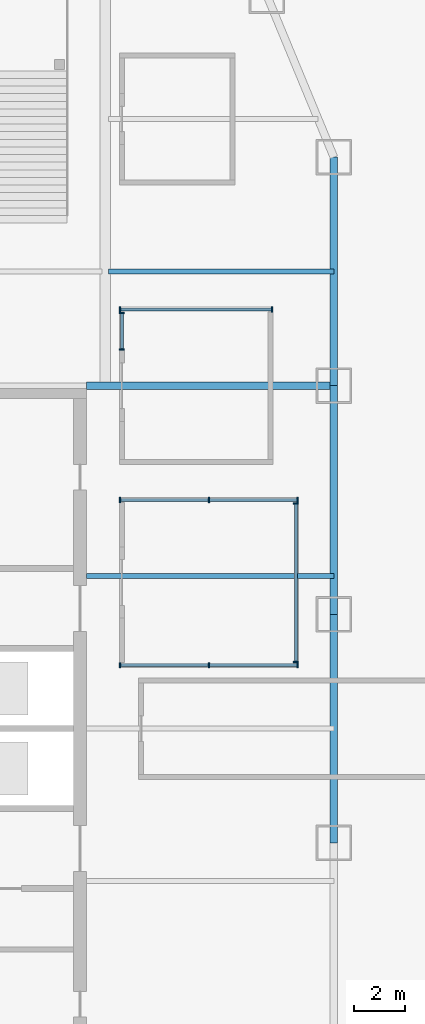
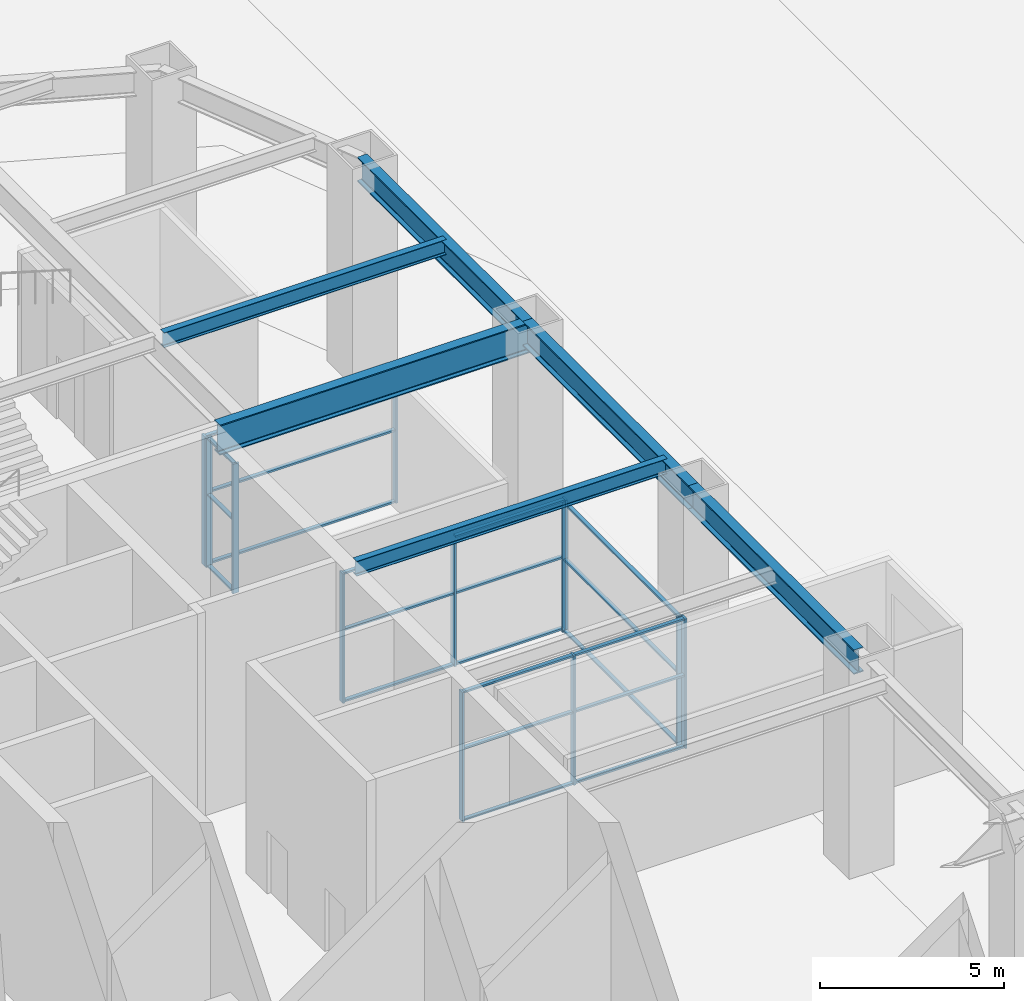
# One storey, part 8 of 20: 33 members, 6 beams, 5 elements without a shape of their own.
"""IFC4 building model written with IfcOpenShell, lengths in metres."""

from ifc_helpers import new_model, si_unit, direction, frame, origin, origin_2d, place, context, subcontext, project, spatial, rectangle, i_section, extrude, material, layer, layer_set, material_profile, profile_set, type_object, element, aggregate, save


model = new_model("IFC4")

# Units and contexts
model_context = context("Model", 3, precision=1e-05, world=origin(), true_north=direction((0.0, 1.0)))
body_context = subcontext(model_context, "Body", "Model", "MODEL_VIEW")
ifc_project = project(units=[si_unit("LENGTHUNIT", "METRE"), si_unit("AREAUNIT", "SQUARE_METRE"), si_unit("VOLUMEUNIT", "CUBIC_METRE"), si_unit("PLANEANGLEUNIT", "RADIAN"), si_unit("MASSUNIT", "GRAM", prefix="KILO")], contexts=[model_context])

# Site, building, storey
site_placement = place(None, origin())
site = spatial("IfcSite", under=ifc_project, at=site_placement, CompositionType="ELEMENT")
building_placement = place(site_placement, origin())
building = spatial("IfcBuilding", under=site, at=building_placement, Name="Siwar Civic Tower", CompositionType="ELEMENT")
storey_placement = place(building_placement, origin())
storey = spatial("IfcBuildingStorey", under=building, at=storey_placement, Name="L00", CompositionType="ELEMENT", Elevation=0.0)

# Curtain wall, members
ifc_material_1 = material(Name="Aluminium and glass", Category="aluminium")
ifc_layer = layer(ifc_material_1, 0.199951171875)
ifc_layer_set = layer_set([ifc_layer], Name="Aluminium and glass")
curtain_wall_type = type_object("IfcCurtainWallType", Name="GND-CWG", PredefinedType="NOTDEFINED", material=ifc_layer_set)
curtain_wall_1_placement = place(storey_placement, origin())
curtain_wall_1 = element("IfcCurtainWall", 1, at=curtain_wall_1_placement, inside=storey, type_object=curtain_wall_type, Name="Glazed screen P03", PredefinedType="NOTDEFINED")
ifc_material_2 = material(Name="Aluminium", Category="aluminium")
ifc_material_profile_1 = material_profile(ifc_material_2, rectangle(XDim=0.199951171875, YDim=0.06005859375, at=origin_2d()), Name="AL 200x60")
ifc_profile_set_1 = profile_set([ifc_material_profile_1], Name="Aluminium")
member_type_1 = type_object("IfcMemberType", Name="GND-CWG-MULLION", PredefinedType="MULLION", material=ifc_profile_set_1)
member_1_placement = place(storey_placement, frame((23.080078125, 2.5, 0.0), z_axis=(0.0, 0.0, 1.0), x_axis=(0.0, 1.0, 0.0)))
member_1 = element("IfcMember", 2, at=member_1_placement, type_object=member_type_1, Name="CW-G mullion 1", PredefinedType="MULLION", context=body_context, shape_type="SweptSolid", body=[
    extrude(rectangle(XDim=0.199951171875, YDim=0.06005859375, at=origin_2d()), origin(), (0.0, 0.0, 1.0), 4.300048828125),
])
member_2_placement = place(storey_placement, frame((26.574951171875, 2.5, 0.0), z_axis=(0.0, 0.0, 1.0), x_axis=(0.0, 1.0, 0.0)))
member_2 = element("IfcMember", 3, at=member_2_placement, type_object=member_type_1, Name="CW-G mullion 2", PredefinedType="MULLION", context=body_context, shape_type="SweptSolid", body=[
    extrude(rectangle(XDim=0.199951171875, YDim=0.06005859375, at=origin_2d()), origin(), (0.0, 0.0, 1.0), 4.300048828125),
])
member_3_placement = place(storey_placement, frame((30.070068359375, 2.5, 0.0), z_axis=(0.0, 0.0, 1.0), x_axis=(0.0, 1.0, 0.0)))
member_3 = element("IfcMember", 4, at=member_3_placement, type_object=member_type_1, Name="CW-G mullion 3", PredefinedType="MULLION", context=body_context, shape_type="SweptSolid", body=[
    extrude(rectangle(XDim=0.199951171875, YDim=0.06005859375, at=origin_2d()), origin(), (0.0, 0.0, 1.0), 4.300048828125),
])

curtain_wall_2_placement = place(storey_placement, origin())
curtain_wall_2 = element("IfcCurtainWall", 5, at=curtain_wall_2_placement, inside=storey, type_object=curtain_wall_type, Name="Glazed screen P03", PredefinedType="NOTDEFINED")
member_4_placement = place(storey_placement, frame((30.0, 2.6298828125, 0.0), z_axis=(0.0, 0.0, 1.0), x_axis=(-1.0, 0.0, 0.0)))
member_4 = element("IfcMember", 6, at=member_4_placement, type_object=member_type_1, Name="CW-G mullion 1", PredefinedType="MULLION", context=body_context, shape_type="SweptSolid", body=[
    extrude(rectangle(XDim=0.199951171875, YDim=0.06005859375, at=origin_2d()), origin(), (0.0, 0.0, 1.0), 4.300048828125),
])
member_5_placement = place(storey_placement, frame((30.0, 8.8701171875, 0.0), z_axis=(0.0, 0.0, 1.0), x_axis=(-1.0, 0.0, 0.0)))
member_5 = element("IfcMember", 7, at=member_5_placement, type_object=member_type_1, Name="CW-G mullion 2", PredefinedType="MULLION", context=body_context, shape_type="SweptSolid", body=[
    extrude(rectangle(XDim=0.199951171875, YDim=0.06005859375, at=origin_2d()), origin(), (0.0, 0.0, 1.0), 4.300048828125),
])

curtain_wall_3_placement = place(storey_placement, origin())
curtain_wall_3 = element("IfcCurtainWall", 8, at=curtain_wall_3_placement, inside=storey, type_object=curtain_wall_type, Name="Glazed screen P03", PredefinedType="NOTDEFINED")
member_6_placement = place(storey_placement, frame((23.080078125, 9.0, 0.0), z_axis=(0.0, 0.0, 1.0), x_axis=(0.0, 1.0, 0.0)))
member_6 = element("IfcMember", 9, at=member_6_placement, type_object=member_type_1, Name="CW-G mullion 1", PredefinedType="MULLION", context=body_context, shape_type="SweptSolid", body=[
    extrude(rectangle(XDim=0.199951171875, YDim=0.06005859375, at=origin_2d()), origin(), (0.0, 0.0, 1.0), 4.300048828125),
])
member_7_placement = place(storey_placement, frame((26.574951171875, 9.0, 0.0), z_axis=(0.0, 0.0, 1.0), x_axis=(0.0, 1.0, 0.0)))
member_7 = element("IfcMember", 10, at=member_7_placement, type_object=member_type_1, Name="CW-G mullion 2", PredefinedType="MULLION", context=body_context, shape_type="SweptSolid", body=[
    extrude(rectangle(XDim=0.199951171875, YDim=0.06005859375, at=origin_2d()), origin(), (0.0, 0.0, 1.0), 4.300048828125),
])
member_8_placement = place(storey_placement, frame((30.070068359375, 9.0, 0.0), z_axis=(0.0, 0.0, 1.0), x_axis=(0.0, 1.0, 0.0)))
member_8 = element("IfcMember", 11, at=member_8_placement, type_object=member_type_1, Name="CW-G mullion 3", PredefinedType="MULLION", context=body_context, shape_type="SweptSolid", body=[
    extrude(rectangle(XDim=0.199951171875, YDim=0.06005859375, at=origin_2d()), origin(), (0.0, 0.0, 1.0), 4.300048828125),
])

curtain_wall_4_placement = place(storey_placement, origin())
curtain_wall_4 = element("IfcCurtainWall", 12, at=curtain_wall_4_placement, inside=storey, type_object=curtain_wall_type, Name="Glazed screen P08", PredefinedType="NOTDEFINED")
member_9_placement = place(storey_placement, frame((23.080078125, 16.5, 0.0), z_axis=(0.0, 0.0, 1.0), x_axis=(0.0, 1.0, 0.0)))
member_9 = element("IfcMember", 13, at=member_9_placement, type_object=member_type_1, Name="CW-G mullion 1", PredefinedType="MULLION", context=body_context, shape_type="SweptSolid", body=[
    extrude(rectangle(XDim=0.199951171875, YDim=0.06005859375, at=origin_2d()), origin(), (0.0, 0.0, 1.0), 4.300048828125),
])
member_10_placement = place(storey_placement, frame((29.070068359375, 16.5, 0.0), z_axis=(0.0, 0.0, 1.0), x_axis=(0.0, 1.0, 0.0)))
member_10 = element("IfcMember", 14, at=member_10_placement, type_object=member_type_1, Name="CW-G mullion 2", PredefinedType="MULLION", context=body_context, shape_type="SweptSolid", body=[
    extrude(rectangle(XDim=0.199951171875, YDim=0.06005859375, at=origin_2d()), origin(), (0.0, 0.0, 1.0), 4.300048828125),
])

curtain_wall_5_placement = place(storey_placement, origin())
curtain_wall_5 = element("IfcCurtainWall", 15, at=curtain_wall_5_placement, inside=storey, type_object=curtain_wall_type, Name="Glazed screen P08", PredefinedType="NOTDEFINED")
member_11_placement = place(storey_placement, frame((23.14990234375, 14.929931640625, 0.0), z_axis=(0.0, 0.0, 1.0), x_axis=(-1.0, 0.0, 0.0)))
member_11 = element("IfcMember", 16, at=member_11_placement, type_object=member_type_1, Name="CW-G mullion 1", PredefinedType="MULLION", context=body_context, shape_type="SweptSolid", body=[
    extrude(rectangle(XDim=0.199951171875, YDim=0.06005859375, at=origin_2d()), origin(), (0.0, 0.0, 1.0), 4.300048828125),
])
member_12_placement = place(storey_placement, frame((23.14990234375, 16.3701171875, 0.0), z_axis=(0.0, 0.0, 1.0), x_axis=(-1.0, 0.0, 0.0)))
member_12 = element("IfcMember", 17, at=member_12_placement, type_object=member_type_1, Name="CW-G mullion 2", PredefinedType="MULLION", context=body_context, shape_type="SweptSolid", body=[
    extrude(rectangle(XDim=0.199951171875, YDim=0.06005859375, at=origin_2d()), origin(), (0.0, 0.0, 1.0), 4.300048828125),
])

# Member
ifc_material_3 = material(Name="Aluminium", Category="aluminium")
ifc_material_profile_2 = material_profile(ifc_material_3, rectangle(XDim=0.1201171875, YDim=0.06005859375, at=origin_2d()), Name="AL 120x60")
ifc_profile_set_2 = profile_set([ifc_material_profile_2], Name="Aluminium")
member_type_2 = type_object("IfcMemberType", Name="GND-CWG-TRANSOM", PredefinedType="USERDEFINED", material=ifc_profile_set_2)
member_13_placement = place(storey_placement, frame((23.110107421875, 2.5, 0.030029296875), z_axis=(1.0, 0.0, 0.0), x_axis=(0.0, 1.0, 0.0)))
member_13 = element("IfcMember", 18, at=member_13_placement, type_object=member_type_2, Name="CW-G transom 1.1", ObjectType="TRANSOM", PredefinedType="USERDEFINED", context=body_context, shape_type="SweptSolid", body=[
    extrude(rectangle(XDim=0.1201171875, YDim=0.06005859375, at=origin_2d()), origin(), (0.0, 0.0, 1.0), 3.434814453125),
])

member_14_placement = place(storey_placement, frame((23.110107421875, 2.5, 2.39990234375), z_axis=(1.0, 0.0, 0.0), x_axis=(0.0, 1.0, 0.0)))
member_14 = element("IfcMember", 19, at=member_14_placement, type_object=member_type_2, Name="CW-G transom 1.2", ObjectType="TRANSOM", PredefinedType="USERDEFINED", context=body_context, shape_type="SweptSolid", body=[
    extrude(rectangle(XDim=0.1201171875, YDim=0.06005859375, at=origin_2d()), origin(), (0.0, 0.0, 1.0), 3.434814453125),
])

member_15_placement = place(storey_placement, frame((23.110107421875, 2.5, 4.27001953125), z_axis=(1.0, 0.0, 0.0), x_axis=(0.0, 1.0, 0.0)))
member_15 = element("IfcMember", 20, at=member_15_placement, type_object=member_type_2, Name="CW-G transom 1.3", ObjectType="TRANSOM", PredefinedType="USERDEFINED", context=body_context, shape_type="SweptSolid", body=[
    extrude(rectangle(XDim=0.1201171875, YDim=0.06005859375, at=origin_2d()), origin(), (0.0, 0.0, 1.0), 3.434814453125),
])

member_16_placement = place(storey_placement, frame((26.60498046875, 2.5, 0.030029296875), z_axis=(1.0, 0.0, 0.0), x_axis=(0.0, 1.0, 0.0)))
member_16 = element("IfcMember", 21, at=member_16_placement, type_object=member_type_2, Name="CW-G transom 2.1", ObjectType="TRANSOM", PredefinedType="USERDEFINED", context=body_context, shape_type="SweptSolid", body=[
    extrude(rectangle(XDim=0.1201171875, YDim=0.06005859375, at=origin_2d()), origin(), (0.0, 0.0, 1.0), 3.43505859375),
])

member_17_placement = place(storey_placement, frame((26.60498046875, 2.5, 2.39990234375), z_axis=(1.0, 0.0, 0.0), x_axis=(0.0, 1.0, 0.0)))
member_17 = element("IfcMember", 22, at=member_17_placement, type_object=member_type_2, Name="CW-G transom 2.2", ObjectType="TRANSOM", PredefinedType="USERDEFINED", context=body_context, shape_type="SweptSolid", body=[
    extrude(rectangle(XDim=0.1201171875, YDim=0.06005859375, at=origin_2d()), origin(), (0.0, 0.0, 1.0), 3.43505859375),
])

member_18_placement = place(storey_placement, frame((26.60498046875, 2.5, 4.27001953125), z_axis=(1.0, 0.0, 0.0), x_axis=(0.0, 1.0, 0.0)))
member_18 = element("IfcMember", 23, at=member_18_placement, type_object=member_type_2, Name="CW-G transom 2.3", ObjectType="TRANSOM", PredefinedType="USERDEFINED", context=body_context, shape_type="SweptSolid", body=[
    extrude(rectangle(XDim=0.1201171875, YDim=0.06005859375, at=origin_2d()), origin(), (0.0, 0.0, 1.0), 3.43505859375),
])

aggregate(curtain_wall_1, [member_1, member_2, member_3, member_13, member_14, member_15, member_16, member_17, member_18])

member_19_placement = place(storey_placement, frame((30.0, 2.659912109375, 0.030029296875), z_axis=(0.0, 1.0, 0.0), x_axis=(-1.0, 0.0, 0.0)))
member_19 = element("IfcMember", 24, at=member_19_placement, type_object=member_type_2, Name="CW-G transom 1.1", ObjectType="TRANSOM", PredefinedType="USERDEFINED", context=body_context, shape_type="SweptSolid", body=[
    extrude(rectangle(XDim=0.1201171875, YDim=0.06005859375, at=origin_2d()), origin(), (0.0, 0.0, 1.0), 6.18017578125),
])

member_20_placement = place(storey_placement, frame((30.0, 2.659912109375, 2.39990234375), z_axis=(0.0, 1.0, 0.0), x_axis=(-1.0, 0.0, 0.0)))
member_20 = element("IfcMember", 25, at=member_20_placement, type_object=member_type_2, Name="CW-G transom 1.2", ObjectType="TRANSOM", PredefinedType="USERDEFINED", context=body_context, shape_type="SweptSolid", body=[
    extrude(rectangle(XDim=0.1201171875, YDim=0.06005859375, at=origin_2d()), origin(), (0.0, 0.0, 1.0), 6.18017578125),
])

member_21_placement = place(storey_placement, frame((30.0, 2.659912109375, 4.27001953125), z_axis=(0.0, 1.0, 0.0), x_axis=(-1.0, 0.0, 0.0)))
member_21 = element("IfcMember", 26, at=member_21_placement, type_object=member_type_2, Name="CW-G transom 1.3", ObjectType="TRANSOM", PredefinedType="USERDEFINED", context=body_context, shape_type="SweptSolid", body=[
    extrude(rectangle(XDim=0.1201171875, YDim=0.06005859375, at=origin_2d()), origin(), (0.0, 0.0, 1.0), 6.18017578125),
])

aggregate(curtain_wall_2, [member_4, member_5, member_19, member_20, member_21])

member_22_placement = place(storey_placement, frame((23.110107421875, 9.0, 0.030029296875), z_axis=(1.0, 0.0, 0.0), x_axis=(0.0, 1.0, 0.0)))
member_22 = element("IfcMember", 27, at=member_22_placement, type_object=member_type_2, Name="CW-G transom 1.1", ObjectType="TRANSOM", PredefinedType="USERDEFINED", context=body_context, shape_type="SweptSolid", body=[
    extrude(rectangle(XDim=0.1201171875, YDim=0.06005859375, at=origin_2d()), origin(), (0.0, 0.0, 1.0), 3.434814453125),
])

member_23_placement = place(storey_placement, frame((23.110107421875, 9.0, 2.39990234375), z_axis=(1.0, 0.0, 0.0), x_axis=(0.0, 1.0, 0.0)))
member_23 = element("IfcMember", 28, at=member_23_placement, type_object=member_type_2, Name="CW-G transom 1.2", ObjectType="TRANSOM", PredefinedType="USERDEFINED", context=body_context, shape_type="SweptSolid", body=[
    extrude(rectangle(XDim=0.1201171875, YDim=0.06005859375, at=origin_2d()), origin(), (0.0, 0.0, 1.0), 3.434814453125),
])

member_24_placement = place(storey_placement, frame((23.110107421875, 9.0, 4.27001953125), z_axis=(1.0, 0.0, 0.0), x_axis=(0.0, 1.0, 0.0)))
member_24 = element("IfcMember", 29, at=member_24_placement, type_object=member_type_2, Name="CW-G transom 1.3", ObjectType="TRANSOM", PredefinedType="USERDEFINED", context=body_context, shape_type="SweptSolid", body=[
    extrude(rectangle(XDim=0.1201171875, YDim=0.06005859375, at=origin_2d()), origin(), (0.0, 0.0, 1.0), 3.434814453125),
])

member_25_placement = place(storey_placement, frame((26.60498046875, 9.0, 0.030029296875), z_axis=(1.0, 0.0, 0.0), x_axis=(0.0, 1.0, 0.0)))
member_25 = element("IfcMember", 30, at=member_25_placement, type_object=member_type_2, Name="CW-G transom 2.1", ObjectType="TRANSOM", PredefinedType="USERDEFINED", context=body_context, shape_type="SweptSolid", body=[
    extrude(rectangle(XDim=0.1201171875, YDim=0.06005859375, at=origin_2d()), origin(), (0.0, 0.0, 1.0), 3.43505859375),
])

member_26_placement = place(storey_placement, frame((26.60498046875, 9.0, 2.39990234375), z_axis=(1.0, 0.0, 0.0), x_axis=(0.0, 1.0, 0.0)))
member_26 = element("IfcMember", 31, at=member_26_placement, type_object=member_type_2, Name="CW-G transom 2.2", ObjectType="TRANSOM", PredefinedType="USERDEFINED", context=body_context, shape_type="SweptSolid", body=[
    extrude(rectangle(XDim=0.1201171875, YDim=0.06005859375, at=origin_2d()), origin(), (0.0, 0.0, 1.0), 3.43505859375),
])

member_27_placement = place(storey_placement, frame((26.60498046875, 9.0, 4.27001953125), z_axis=(1.0, 0.0, 0.0), x_axis=(0.0, 1.0, 0.0)))
member_27 = element("IfcMember", 32, at=member_27_placement, type_object=member_type_2, Name="CW-G transom 2.3", ObjectType="TRANSOM", PredefinedType="USERDEFINED", context=body_context, shape_type="SweptSolid", body=[
    extrude(rectangle(XDim=0.1201171875, YDim=0.06005859375, at=origin_2d()), origin(), (0.0, 0.0, 1.0), 3.43505859375),
])

aggregate(curtain_wall_3, [member_6, member_7, member_8, member_22, member_23, member_24, member_25, member_26, member_27])

member_28_placement = place(storey_placement, frame((23.110107421875, 16.5, 0.030029296875), z_axis=(1.0, 0.0, 0.0), x_axis=(0.0, 1.0, 0.0)))
member_28 = element("IfcMember", 33, at=member_28_placement, type_object=member_type_2, Name="CW-G transom 1.1", ObjectType="TRANSOM", PredefinedType="USERDEFINED", context=body_context, shape_type="SweptSolid", body=[
    extrude(rectangle(XDim=0.1201171875, YDim=0.06005859375, at=origin_2d()), origin(), (0.0, 0.0, 1.0), 5.929931640625),
])

member_29_placement = place(storey_placement, frame((23.110107421875, 16.5, 2.39990234375), z_axis=(1.0, 0.0, 0.0), x_axis=(0.0, 1.0, 0.0)))
member_29 = element("IfcMember", 34, at=member_29_placement, type_object=member_type_2, Name="CW-G transom 1.2", ObjectType="TRANSOM", PredefinedType="USERDEFINED", context=body_context, shape_type="SweptSolid", body=[
    extrude(rectangle(XDim=0.1201171875, YDim=0.06005859375, at=origin_2d()), origin(), (0.0, 0.0, 1.0), 5.929931640625),
])

member_30_placement = place(storey_placement, frame((23.110107421875, 16.5, 4.27001953125), z_axis=(1.0, 0.0, 0.0), x_axis=(0.0, 1.0, 0.0)))
member_30 = element("IfcMember", 35, at=member_30_placement, type_object=member_type_2, Name="CW-G transom 1.3", ObjectType="TRANSOM", PredefinedType="USERDEFINED", context=body_context, shape_type="SweptSolid", body=[
    extrude(rectangle(XDim=0.1201171875, YDim=0.06005859375, at=origin_2d()), origin(), (0.0, 0.0, 1.0), 5.929931640625),
])

aggregate(curtain_wall_4, [member_9, member_10, member_28, member_29, member_30])

member_31_placement = place(storey_placement, frame((23.14990234375, 14.9599609375, 0.030029296875), z_axis=(0.0, 1.0, 0.0), x_axis=(-1.0, 0.0, 0.0)))
member_31 = element("IfcMember", 36, at=member_31_placement, type_object=member_type_2, Name="CW-G transom 1.1", ObjectType="TRANSOM", PredefinedType="USERDEFINED", context=body_context, shape_type="SweptSolid", body=[
    extrude(rectangle(XDim=0.1201171875, YDim=0.06005859375, at=origin_2d()), origin(), (0.0, 0.0, 1.0), 1.380126953125),
])

member_32_placement = place(storey_placement, frame((23.14990234375, 14.9599609375, 2.39990234375), z_axis=(0.0, 1.0, 0.0), x_axis=(-1.0, 0.0, 0.0)))
member_32 = element("IfcMember", 37, at=member_32_placement, type_object=member_type_2, Name="CW-G transom 1.2", ObjectType="TRANSOM", PredefinedType="USERDEFINED", context=body_context, shape_type="SweptSolid", body=[
    extrude(rectangle(XDim=0.1201171875, YDim=0.06005859375, at=origin_2d()), origin(), (0.0, 0.0, 1.0), 1.380126953125),
])

member_33_placement = place(storey_placement, frame((23.14990234375, 14.9599609375, 4.27001953125), z_axis=(0.0, 1.0, 0.0), x_axis=(-1.0, 0.0, 0.0)))
member_33 = element("IfcMember", 38, at=member_33_placement, type_object=member_type_2, Name="CW-G transom 1.3", ObjectType="TRANSOM", PredefinedType="USERDEFINED", context=body_context, shape_type="SweptSolid", body=[
    extrude(rectangle(XDim=0.1201171875, YDim=0.06005859375, at=origin_2d()), origin(), (0.0, 0.0, 1.0), 1.380126953125),
])

aggregate(curtain_wall_5, [member_11, member_12, member_31, member_32, member_33])

# Beams
ifc_material_4 = material(Name="Steel S355", Category="steel")
ifc_material_profile_3 = material_profile(ifc_material_4, i_section(OverallWidth=0.199951171875, OverallDepth=0.5, WebThickness=0.01025390625, FlangeThickness=0.01611328125, FilletRadius=0.02099609375, at=origin_2d()), Name="IPE500")
ifc_profile_set_3 = profile_set([ifc_material_profile_3], Name="Steel S355")
beam_type_1 = type_object("IfcBeamType", Name="STR-FB-IPE500", PredefinedType="JOIST", material=ifc_profile_set_3)
beam_1_placement = place(storey_placement, frame((21.75, 6.0, 6.75), z_axis=(1.0, 0.0, 0.0), x_axis=(0.0, 1.0, 0.0)))
element("IfcBeam", 39, at=beam_1_placement, inside=storey, type_object=beam_type_1, Name="L00/bm/F033", PredefinedType="JOIST", context=body_context, shape_type="SweptSolid", body=[
    extrude(i_section(OverallWidth=0.199951171875, OverallDepth=0.5, WebThickness=0.01025390625, FlangeThickness=0.01611328125, FilletRadius=0.02099609375, at=origin_2d()), origin(), (0.0, 0.0, 1.0), 9.75),
])
beam_2_placement = place(storey_placement, frame((22.6298828125, 18.0, 6.75), z_axis=(1.0, 0.0, 0.0), x_axis=(0.0, 1.0, 0.0)))
element("IfcBeam", 40, at=beam_2_placement, inside=storey, type_object=beam_type_1, Name="L00/bm/F048", PredefinedType="JOIST", context=body_context, shape_type="SweptSolid", body=[
    extrude(i_section(OverallWidth=0.199951171875, OverallDepth=0.5, WebThickness=0.01025390625, FlangeThickness=0.01611328125, FilletRadius=0.02099609375, at=origin_2d()), origin(), (0.0, 0.0, 1.0), 8.8701171875),
])
ifc_material_5 = material(Name="Steel S355", Category="steel")
ifc_material_profile_4 = material_profile(ifc_material_5, i_section(OverallWidth=0.300048828125, OverallDepth=1.0, WebThickness=0.01904296875, FlangeThickness=0.035888671875, FilletRadius=0.030029296875, at=origin_2d()), Name="HEB1000")
ifc_profile_set_4 = profile_set([ifc_material_profile_4], Name="Steel S355")
beam_type_2 = type_object("IfcBeamType", Name="STR-PG-HEB1000", PredefinedType="BEAM", material=ifc_profile_set_4)
beam_3_placement = place(storey_placement, frame((21.75, 13.5, 6.5), z_axis=(1.0, 0.0, 0.0), x_axis=(0.0, 1.0, 0.0)))
element("IfcBeam", 41, at=beam_3_placement, inside=storey, type_object=beam_type_2, Name="L00/bm/F042", PredefinedType="BEAM", context=body_context, shape_type="SweptSolid", body=[
    extrude(i_section(OverallWidth=0.300048828125, OverallDepth=1.0, WebThickness=0.01904296875, FlangeThickness=0.035888671875, FilletRadius=0.030029296875, at=origin_2d()), origin(), (0.0, 0.0, 1.0), 9.75),
])
ifc_material_6 = material(Name="Steel S355", Category="steel")
ifc_material_profile_5 = material_profile(ifc_material_6, i_section(OverallWidth=0.302978515625, OverallDepth=0.81396484375, WebThickness=0.02099609375, FlangeThickness=0.0400390625, FilletRadius=0.030029296875, at=origin_2d()), Name="HEM800")
ifc_profile_set_5 = profile_set([ifc_material_profile_5], Name="Steel S355")
beam_type_3 = type_object("IfcBeamType", Name="STR-SB-HEM800", PredefinedType="BEAM", material=ifc_profile_set_5)
for number, where, z_axis, x_axis, name in (
    (42, (31.5, -4.5, 6.593017578125), (0.0, 1.0, 0.0), (-1.0, 0.0, 0.0), "L00/bm/SE-2"),
    (43, (31.5, 4.5, 6.593017578125), (0.0, 1.0, 0.0), (-1.0, 0.0, 0.0), "L00/bm/SE-3"),
    (44, (31.5, 13.5, 6.593017578125), (0.0, 1.0, 0.0), (-1.0, 0.0, 0.0), "L00/bm/SE-4"),
):
    element("IfcBeam", number, at=place(storey_placement, frame(where, z_axis=z_axis, x_axis=x_axis)), inside=storey, type_object=beam_type_3, Name=name, PredefinedType="BEAM", context=body_context, shape_type="SweptSolid", body=[
        extrude(i_section(OverallWidth=0.302978515625, OverallDepth=0.81396484375, WebThickness=0.02099609375, FlangeThickness=0.0400390625, FilletRadius=0.030029296875, at=origin_2d()), origin(), (0.0, 0.0, 1.0), 9.0),
    ])

save(model, "model.ifc")
